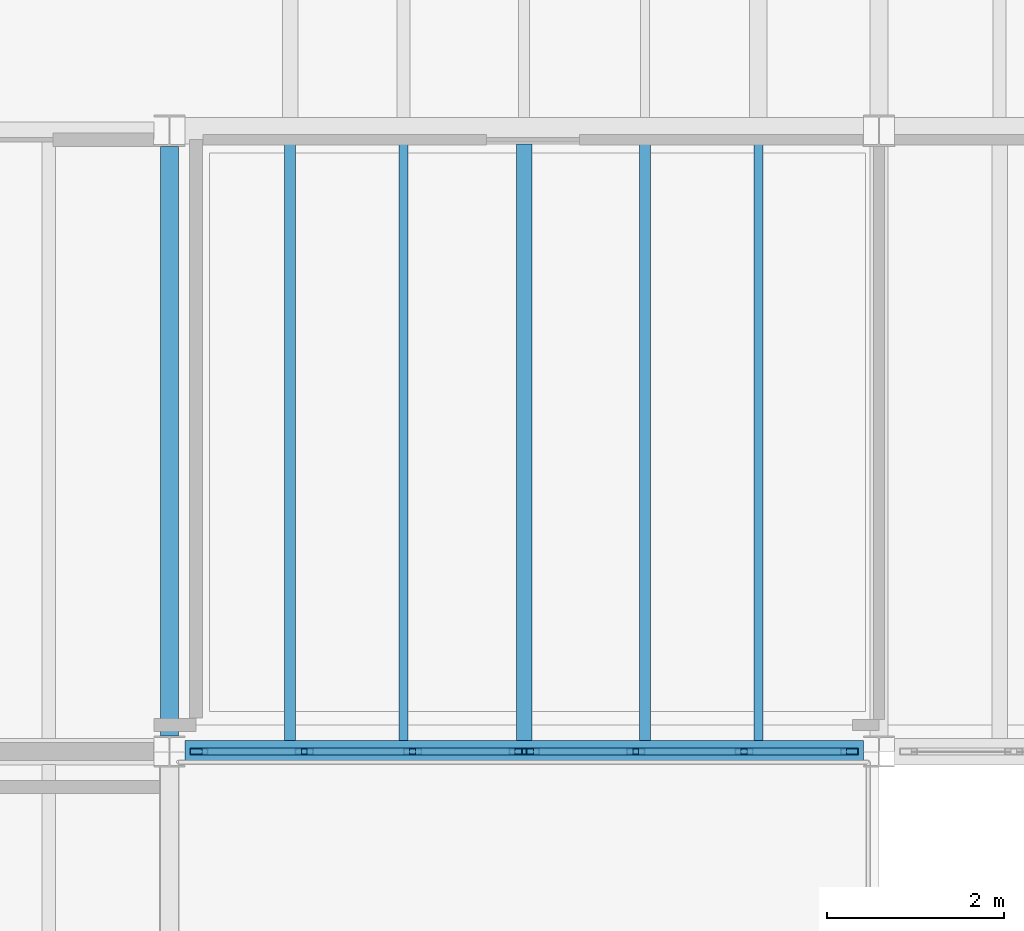
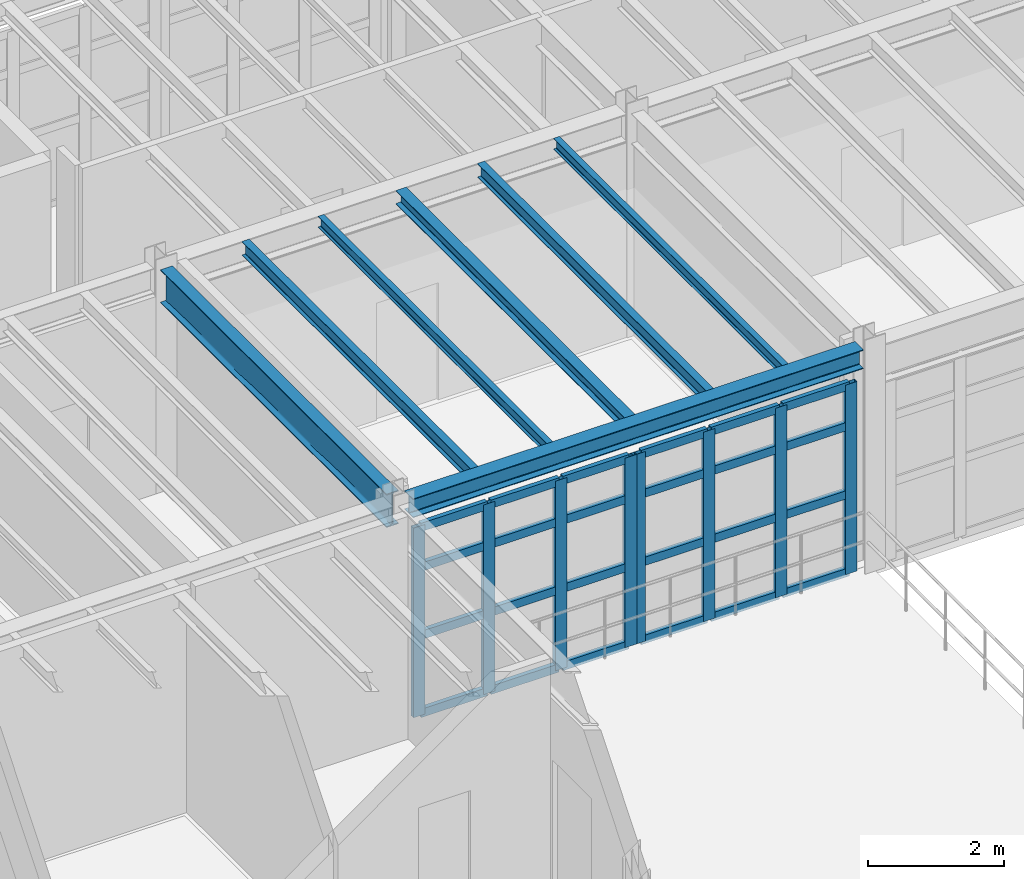
# One storey, part 22 of 78: 32 members, 7 beams, 2 elements without a shape of their own.
"""IFC4 building model written with IfcOpenShell, lengths in metres."""

from ifc_helpers import new_model, si_unit, direction, frame, origin, origin_2d, place, context, subcontext, project, spatial, hollow_rectangle, i_section, extrude, material, material_profile, profile_set, type_object, element, aggregate, save


model = new_model("IFC4")

# Units and contexts
model_context = context("Model", 3, precision=1e-05, world=origin(), true_north=direction((0.0, 1.0)))
body_context = subcontext(model_context, "Body", "Model", "MODEL_VIEW")
ifc_project = project(units=[si_unit("LENGTHUNIT", "METRE"), si_unit("AREAUNIT", "SQUARE_METRE"), si_unit("VOLUMEUNIT", "CUBIC_METRE"), si_unit("PLANEANGLEUNIT", "RADIAN"), si_unit("MASSUNIT", "GRAM", prefix="KILO"), si_unit("THERMODYNAMICTEMPERATUREUNIT", "KELVIN"), si_unit("POWERUNIT", "WATT")], contexts=[model_context])

# Site, building, storey
site_placement = place(None, origin())
site = spatial("IfcSite", under=ifc_project, at=site_placement, CompositionType="ELEMENT")
building_placement = place(site_placement, origin())
building = spatial("IfcBuilding", under=site, at=building_placement, Name="Zhenchuan Central Fire Station", CompositionType="ELEMENT")
storey_placement = place(building_placement, frame((0.0, 0.0, 5.85009765625)))
storey = spatial("IfcBuildingStorey", under=building, at=storey_placement, Name="L02", CompositionType="ELEMENT", Elevation=5.85009765625)

# Beams
ifc_material_1 = material(Name="Steel Q355B", Category="steel")
ifc_material_profile_1 = material_profile(ifc_material_1, i_section(OverallWidth=0.25, OverallDepth=0.340087890625, WebThickness=0.009033203125, FlangeThickness=0.013916015625, FilletRadius=0.01806640625, at=origin_2d()), Name="HM 340x250")
ifc_profile_set_1 = profile_set([ifc_material_profile_1], Name="Steel Q355B")
beam_type_1 = type_object("IfcBeamType", Name="BM-HM340", PredefinedType="BEAM", material=ifc_profile_set_1)
beam_1_placement = place(storey_placement, frame((40.175048828125, 42.5, 3.829833984375), z_axis=(1.0, 0.0, 0.0), x_axis=(0.0, 1.0, 0.0)))
element("IfcBeam", 1, at=beam_1_placement, inside=storey, type_object=beam_type_1, Name="L03 Girder EW 0247", PredefinedType="BEAM", context=body_context, shape_type="SweptSolid", body=[
    extrude(i_section(OverallWidth=0.25, OverallDepth=0.340087890625, WebThickness=0.009033203125, FlangeThickness=0.013916015625, FilletRadius=0.01806640625, at=origin_2d()), origin(), (0.0, 0.0, 1.0), 7.64990234375),
])
ifc_material_profile_2 = material_profile(ifc_material_1, i_section(OverallWidth=0.199951171875, OverallDepth=0.60009765625, WebThickness=0.010986328125, FlangeThickness=0.01708984375, FilletRadius=0.02197265625, at=origin_2d()), Name="HN 600x200")
ifc_profile_set_2 = profile_set([ifc_material_profile_2], Name="Steel Q355B")
beam_type_2 = type_object("IfcBeamType", Name="BM-HN600-INT", PredefinedType="BEAM", material=ifc_profile_set_2)
beam_2_placement = place(storey_placement, frame((40.0, 42.675048828125, 3.699951171875), z_axis=(0.0, 1.0, 0.0), x_axis=(-1.0, 0.0, 0.0)))
element("IfcBeam", 2, at=beam_2_placement, inside=storey, type_object=beam_type_2, Name="L03 Girder NS 0310", PredefinedType="BEAM", context=body_context, shape_type="SweptSolid", body=[
    extrude(i_section(OverallWidth=0.199951171875, OverallDepth=0.60009765625, WebThickness=0.010986328125, FlangeThickness=0.01708984375, FilletRadius=0.02197265625, at=origin_2d()), origin(), (0.0, 0.0, 1.0), 6.64990234375),
])

# Curtain wall, members
ifc_material_2 = material(Name="Anodised aluminium and low-E glazing", Category="aluminium")
curtain_wall_type_1 = type_object("IfcCurtainWallType", Name="CW-MOD-06", PredefinedType="USERDEFINED", material=ifc_material_2)
curtain_wall_1_placement = place(storey_placement, origin())
curtain_wall_1 = element("IfcCurtainWall", 3, at=curtain_wall_1_placement, inside=storey, type_object=curtain_wall_type_1, Name="L02 Unitised Curtain Wall 062", ObjectType="UNITISED GLAZING", PredefinedType="USERDEFINED")
ifc_material_3 = material(Name="Anodised aluminium EN AW-6063", Category="aluminium")
ifc_material_profile_3 = material_profile(ifc_material_3, hollow_rectangle(XDim=0.074951171875, YDim=0.199951171875, WallThickness=0.0048828125, at=origin_2d()), Name="ALU-M 200x75")
ifc_profile_set_3 = profile_set([ifc_material_profile_3], Name="Anodised aluminium EN AW-6063")
member_type_1 = type_object("IfcMemberType", Name="CW-MUL160", PredefinedType="MULLION", material=ifc_profile_set_3)
member_1_placement = place(storey_placement, frame((40.33251953125, 42.5, -0.004150390625), z_axis=(0.0, 0.0, 1.0), x_axis=(0.0, 1.0, 0.0)))
member_1 = element("IfcMember", 4, at=member_1_placement, type_object=member_type_1, Name="CW-06 mullion 1", PredefinedType="MULLION", context=body_context, shape_type="SweptSolid", body=[
    extrude(hollow_rectangle(XDim=0.074951171875, YDim=0.199951171875, WallThickness=0.0048828125, at=origin_2d()), origin(), (0.0, 0.0, 1.0), 3.404052734375),
])
member_2_placement = place(storey_placement, frame((41.520751953125, 42.5, -0.004150390625), z_axis=(0.0, 0.0, 1.0), x_axis=(0.0, 1.0, 0.0)))
member_2 = element("IfcMember", 5, at=member_2_placement, type_object=member_type_1, Name="CW-06 mullion 2", PredefinedType="MULLION", context=body_context, shape_type="SweptSolid", body=[
    extrude(hollow_rectangle(XDim=0.074951171875, YDim=0.199951171875, WallThickness=0.0048828125, at=origin_2d()), origin(), (0.0, 0.0, 1.0), 3.404052734375),
])
member_3_placement = place(storey_placement, frame((42.741455078125, 42.5, -0.004150390625), z_axis=(0.0, 0.0, 1.0), x_axis=(0.0, 1.0, 0.0)))
member_3 = element("IfcMember", 6, at=member_3_placement, type_object=member_type_1, Name="CW-06 mullion 3", PredefinedType="MULLION", context=body_context, shape_type="SweptSolid", body=[
    extrude(hollow_rectangle(XDim=0.074951171875, YDim=0.199951171875, WallThickness=0.0048828125, at=origin_2d()), origin(), (0.0, 0.0, 1.0), 3.404052734375),
])
member_4_placement = place(storey_placement, frame((43.929443359375, 42.5, -0.004150390625), z_axis=(0.0, 0.0, 1.0), x_axis=(0.0, 1.0, 0.0)))
member_4 = element("IfcMember", 7, at=member_4_placement, type_object=member_type_1, Name="CW-06 mullion 4", PredefinedType="MULLION", context=body_context, shape_type="SweptSolid", body=[
    extrude(hollow_rectangle(XDim=0.074951171875, YDim=0.199951171875, WallThickness=0.0048828125, at=origin_2d()), origin(), (0.0, 0.0, 1.0), 3.404052734375),
])

curtain_wall_type_2 = type_object("IfcCurtainWallType", Name="CW-MOD-07", PredefinedType="USERDEFINED", material=ifc_material_2)
curtain_wall_2_placement = place(storey_placement, origin())
curtain_wall_2 = element("IfcCurtainWall", 8, at=curtain_wall_2_placement, inside=storey, type_object=curtain_wall_type_2, Name="L02 Unitised Curtain Wall 063", ObjectType="UNITISED GLAZING", PredefinedType="USERDEFINED")
member_5_placement = place(storey_placement, frame((44.070556640625, 42.5, -0.004150390625), z_axis=(0.0, 0.0, 1.0), x_axis=(0.0, 1.0, 0.0)))
member_5 = element("IfcMember", 9, at=member_5_placement, type_object=member_type_1, Name="CW-07 mullion 1", PredefinedType="MULLION", context=body_context, shape_type="SweptSolid", body=[
    extrude(hollow_rectangle(XDim=0.074951171875, YDim=0.199951171875, WallThickness=0.0048828125, at=origin_2d()), origin(), (0.0, 0.0, 1.0), 3.404052734375),
])
member_6_placement = place(storey_placement, frame((45.258544921875, 42.5, -0.004150390625), z_axis=(0.0, 0.0, 1.0), x_axis=(0.0, 1.0, 0.0)))
member_6 = element("IfcMember", 10, at=member_6_placement, type_object=member_type_1, Name="CW-07 mullion 2", PredefinedType="MULLION", context=body_context, shape_type="SweptSolid", body=[
    extrude(hollow_rectangle(XDim=0.074951171875, YDim=0.199951171875, WallThickness=0.0048828125, at=origin_2d()), origin(), (0.0, 0.0, 1.0), 3.404052734375),
])
member_7_placement = place(storey_placement, frame((46.479248046875, 42.5, -0.004150390625), z_axis=(0.0, 0.0, 1.0), x_axis=(0.0, 1.0, 0.0)))
member_7 = element("IfcMember", 11, at=member_7_placement, type_object=member_type_1, Name="CW-07 mullion 3", PredefinedType="MULLION", context=body_context, shape_type="SweptSolid", body=[
    extrude(hollow_rectangle(XDim=0.074951171875, YDim=0.199951171875, WallThickness=0.0048828125, at=origin_2d()), origin(), (0.0, 0.0, 1.0), 3.404052734375),
])
member_8_placement = place(storey_placement, frame((47.66748046875, 42.5, -0.004150390625), z_axis=(0.0, 0.0, 1.0), x_axis=(0.0, 1.0, 0.0)))
member_8 = element("IfcMember", 12, at=member_8_placement, type_object=member_type_1, Name="CW-07 mullion 4", PredefinedType="MULLION", context=body_context, shape_type="SweptSolid", body=[
    extrude(hollow_rectangle(XDim=0.074951171875, YDim=0.199951171875, WallThickness=0.0048828125, at=origin_2d()), origin(), (0.0, 0.0, 1.0), 3.404052734375),
])

# Member
ifc_material_profile_4 = material_profile(ifc_material_3, hollow_rectangle(XDim=0.074951171875, YDim=0.14990234375, WallThickness=0.0048828125, at=origin_2d()), Name="ALU-T 150x75")
ifc_profile_set_4 = profile_set([ifc_material_profile_4], Name="Anodised aluminium EN AW-6063")
member_type_2 = type_object("IfcMemberType", Name="CW-TRN130", PredefinedType="NOTDEFINED", material=ifc_profile_set_4)
member_9_placement = place(storey_placement, frame((40.364990234375, 42.5, 0.0283203125), z_axis=(1.0, 0.0, 0.0), x_axis=(0.0, 1.0, 0.0)))
member_9 = element("IfcMember", 13, at=member_9_placement, type_object=member_type_2, Name="CW-06 transom 1.1", ObjectType="TRANSOM", PredefinedType="USERDEFINED", context=body_context, shape_type="SweptSolid", body=[
    extrude(hollow_rectangle(XDim=0.074951171875, YDim=0.14990234375, WallThickness=0.0048828125, at=origin_2d()), origin(), (0.0, 0.0, 1.0), 1.123291015625),
])

member_10_placement = place(storey_placement, frame((40.364990234375, 42.5, 1.427978515625), z_axis=(1.0, 0.0, 0.0), x_axis=(0.0, 1.0, 0.0)))
member_10 = element("IfcMember", 14, at=member_10_placement, type_object=member_type_2, Name="CW-06 transom 1.2", ObjectType="TRANSOM", PredefinedType="USERDEFINED", context=body_context, shape_type="SweptSolid", body=[
    extrude(hollow_rectangle(XDim=0.074951171875, YDim=0.14990234375, WallThickness=0.0048828125, at=origin_2d()), origin(), (0.0, 0.0, 1.0), 1.123291015625),
])

member_11_placement = place(storey_placement, frame((40.364990234375, 42.5, 2.65185546875), z_axis=(1.0, 0.0, 0.0), x_axis=(0.0, 1.0, 0.0)))
member_11 = element("IfcMember", 15, at=member_11_placement, type_object=member_type_2, Name="CW-06 transom 1.3", ObjectType="TRANSOM", PredefinedType="USERDEFINED", context=body_context, shape_type="SweptSolid", body=[
    extrude(hollow_rectangle(XDim=0.074951171875, YDim=0.14990234375, WallThickness=0.0048828125, at=origin_2d()), origin(), (0.0, 0.0, 1.0), 1.123291015625),
])

member_12_placement = place(storey_placement, frame((40.364990234375, 42.5, 3.367431640625), z_axis=(1.0, 0.0, 0.0), x_axis=(0.0, 1.0, 0.0)))
member_12 = element("IfcMember", 16, at=member_12_placement, type_object=member_type_2, Name="CW-06 transom 1.4", ObjectType="TRANSOM", PredefinedType="USERDEFINED", context=body_context, shape_type="SweptSolid", body=[
    extrude(hollow_rectangle(XDim=0.074951171875, YDim=0.14990234375, WallThickness=0.0048828125, at=origin_2d()), origin(), (0.0, 0.0, 1.0), 1.123291015625),
])

member_13_placement = place(storey_placement, frame((41.55322265625, 42.5, 0.0283203125), z_axis=(1.0, 0.0, 0.0), x_axis=(0.0, 1.0, 0.0)))
member_13 = element("IfcMember", 17, at=member_13_placement, type_object=member_type_2, Name="CW-06 transom 2.1", ObjectType="TRANSOM", PredefinedType="USERDEFINED", context=body_context, shape_type="SweptSolid", body=[
    extrude(hollow_rectangle(XDim=0.074951171875, YDim=0.14990234375, WallThickness=0.0048828125, at=origin_2d()), origin(), (0.0, 0.0, 1.0), 1.155517578125),
])

member_14_placement = place(storey_placement, frame((41.55322265625, 42.5, 1.427978515625), z_axis=(1.0, 0.0, 0.0), x_axis=(0.0, 1.0, 0.0)))
member_14 = element("IfcMember", 18, at=member_14_placement, type_object=member_type_2, Name="CW-06 transom 2.2", ObjectType="TRANSOM", PredefinedType="USERDEFINED", context=body_context, shape_type="SweptSolid", body=[
    extrude(hollow_rectangle(XDim=0.074951171875, YDim=0.14990234375, WallThickness=0.0048828125, at=origin_2d()), origin(), (0.0, 0.0, 1.0), 1.155517578125),
])

member_15_placement = place(storey_placement, frame((41.55322265625, 42.5, 2.65185546875), z_axis=(1.0, 0.0, 0.0), x_axis=(0.0, 1.0, 0.0)))
member_15 = element("IfcMember", 19, at=member_15_placement, type_object=member_type_2, Name="CW-06 transom 2.3", ObjectType="TRANSOM", PredefinedType="USERDEFINED", context=body_context, shape_type="SweptSolid", body=[
    extrude(hollow_rectangle(XDim=0.074951171875, YDim=0.14990234375, WallThickness=0.0048828125, at=origin_2d()), origin(), (0.0, 0.0, 1.0), 1.155517578125),
])

member_16_placement = place(storey_placement, frame((41.55322265625, 42.5, 3.367431640625), z_axis=(1.0, 0.0, 0.0), x_axis=(0.0, 1.0, 0.0)))
member_16 = element("IfcMember", 20, at=member_16_placement, type_object=member_type_2, Name="CW-06 transom 2.4", ObjectType="TRANSOM", PredefinedType="USERDEFINED", context=body_context, shape_type="SweptSolid", body=[
    extrude(hollow_rectangle(XDim=0.074951171875, YDim=0.14990234375, WallThickness=0.0048828125, at=origin_2d()), origin(), (0.0, 0.0, 1.0), 1.155517578125),
])

member_17_placement = place(storey_placement, frame((42.77392578125, 42.5, 0.0283203125), z_axis=(1.0, 0.0, 0.0), x_axis=(0.0, 1.0, 0.0)))
member_17 = element("IfcMember", 21, at=member_17_placement, type_object=member_type_2, Name="CW-06 transom 3.1", ObjectType="TRANSOM", PredefinedType="USERDEFINED", context=body_context, shape_type="SweptSolid", body=[
    extrude(hollow_rectangle(XDim=0.074951171875, YDim=0.14990234375, WallThickness=0.0048828125, at=origin_2d()), origin(), (0.0, 0.0, 1.0), 1.123046875),
])

member_18_placement = place(storey_placement, frame((42.77392578125, 42.5, 1.427978515625), z_axis=(1.0, 0.0, 0.0), x_axis=(0.0, 1.0, 0.0)))
member_18 = element("IfcMember", 22, at=member_18_placement, type_object=member_type_2, Name="CW-06 transom 3.2", ObjectType="TRANSOM", PredefinedType="USERDEFINED", context=body_context, shape_type="SweptSolid", body=[
    extrude(hollow_rectangle(XDim=0.074951171875, YDim=0.14990234375, WallThickness=0.0048828125, at=origin_2d()), origin(), (0.0, 0.0, 1.0), 1.123046875),
])

member_19_placement = place(storey_placement, frame((42.77392578125, 42.5, 2.65185546875), z_axis=(1.0, 0.0, 0.0), x_axis=(0.0, 1.0, 0.0)))
member_19 = element("IfcMember", 23, at=member_19_placement, type_object=member_type_2, Name="CW-06 transom 3.3", ObjectType="TRANSOM", PredefinedType="USERDEFINED", context=body_context, shape_type="SweptSolid", body=[
    extrude(hollow_rectangle(XDim=0.074951171875, YDim=0.14990234375, WallThickness=0.0048828125, at=origin_2d()), origin(), (0.0, 0.0, 1.0), 1.123046875),
])

member_20_placement = place(storey_placement, frame((42.77392578125, 42.5, 3.367431640625), z_axis=(1.0, 0.0, 0.0), x_axis=(0.0, 1.0, 0.0)))
member_20 = element("IfcMember", 24, at=member_20_placement, type_object=member_type_2, Name="CW-06 transom 3.4", ObjectType="TRANSOM", PredefinedType="USERDEFINED", context=body_context, shape_type="SweptSolid", body=[
    extrude(hollow_rectangle(XDim=0.074951171875, YDim=0.14990234375, WallThickness=0.0048828125, at=origin_2d()), origin(), (0.0, 0.0, 1.0), 1.123046875),
])

aggregate(curtain_wall_1, [member_1, member_2, member_3, member_4, member_9, member_10, member_11, member_12, member_13, member_14, member_15, member_16, member_17, member_18, member_19, member_20])

member_21_placement = place(storey_placement, frame((44.10302734375, 42.5, 0.0283203125), z_axis=(1.0, 0.0, 0.0), x_axis=(0.0, 1.0, 0.0)))
member_21 = element("IfcMember", 25, at=member_21_placement, type_object=member_type_2, Name="CW-07 transom 1.1", ObjectType="TRANSOM", PredefinedType="USERDEFINED", context=body_context, shape_type="SweptSolid", body=[
    extrude(hollow_rectangle(XDim=0.074951171875, YDim=0.14990234375, WallThickness=0.0048828125, at=origin_2d()), origin(), (0.0, 0.0, 1.0), 1.123046875),
])

member_22_placement = place(storey_placement, frame((44.10302734375, 42.5, 1.427978515625), z_axis=(1.0, 0.0, 0.0), x_axis=(0.0, 1.0, 0.0)))
member_22 = element("IfcMember", 26, at=member_22_placement, type_object=member_type_2, Name="CW-07 transom 1.2", ObjectType="TRANSOM", PredefinedType="USERDEFINED", context=body_context, shape_type="SweptSolid", body=[
    extrude(hollow_rectangle(XDim=0.074951171875, YDim=0.14990234375, WallThickness=0.0048828125, at=origin_2d()), origin(), (0.0, 0.0, 1.0), 1.123046875),
])

member_23_placement = place(storey_placement, frame((44.10302734375, 42.5, 2.65185546875), z_axis=(1.0, 0.0, 0.0), x_axis=(0.0, 1.0, 0.0)))
member_23 = element("IfcMember", 27, at=member_23_placement, type_object=member_type_2, Name="CW-07 transom 1.3", ObjectType="TRANSOM", PredefinedType="USERDEFINED", context=body_context, shape_type="SweptSolid", body=[
    extrude(hollow_rectangle(XDim=0.074951171875, YDim=0.14990234375, WallThickness=0.0048828125, at=origin_2d()), origin(), (0.0, 0.0, 1.0), 1.123046875),
])

member_24_placement = place(storey_placement, frame((44.10302734375, 42.5, 3.367431640625), z_axis=(1.0, 0.0, 0.0), x_axis=(0.0, 1.0, 0.0)))
member_24 = element("IfcMember", 28, at=member_24_placement, type_object=member_type_2, Name="CW-07 transom 1.4", ObjectType="TRANSOM", PredefinedType="USERDEFINED", context=body_context, shape_type="SweptSolid", body=[
    extrude(hollow_rectangle(XDim=0.074951171875, YDim=0.14990234375, WallThickness=0.0048828125, at=origin_2d()), origin(), (0.0, 0.0, 1.0), 1.123046875),
])

member_25_placement = place(storey_placement, frame((45.291259765625, 42.5, 0.0283203125), z_axis=(1.0, 0.0, 0.0), x_axis=(0.0, 1.0, 0.0)))
member_25 = element("IfcMember", 29, at=member_25_placement, type_object=member_type_2, Name="CW-07 transom 2.1", ObjectType="TRANSOM", PredefinedType="USERDEFINED", context=body_context, shape_type="SweptSolid", body=[
    extrude(hollow_rectangle(XDim=0.074951171875, YDim=0.14990234375, WallThickness=0.0048828125, at=origin_2d()), origin(), (0.0, 0.0, 1.0), 1.155517578125),
])

member_26_placement = place(storey_placement, frame((45.291259765625, 42.5, 1.427978515625), z_axis=(1.0, 0.0, 0.0), x_axis=(0.0, 1.0, 0.0)))
member_26 = element("IfcMember", 30, at=member_26_placement, type_object=member_type_2, Name="CW-07 transom 2.2", ObjectType="TRANSOM", PredefinedType="USERDEFINED", context=body_context, shape_type="SweptSolid", body=[
    extrude(hollow_rectangle(XDim=0.074951171875, YDim=0.14990234375, WallThickness=0.0048828125, at=origin_2d()), origin(), (0.0, 0.0, 1.0), 1.155517578125),
])

member_27_placement = place(storey_placement, frame((45.291259765625, 42.5, 2.65185546875), z_axis=(1.0, 0.0, 0.0), x_axis=(0.0, 1.0, 0.0)))
member_27 = element("IfcMember", 31, at=member_27_placement, type_object=member_type_2, Name="CW-07 transom 2.3", ObjectType="TRANSOM", PredefinedType="USERDEFINED", context=body_context, shape_type="SweptSolid", body=[
    extrude(hollow_rectangle(XDim=0.074951171875, YDim=0.14990234375, WallThickness=0.0048828125, at=origin_2d()), origin(), (0.0, 0.0, 1.0), 1.155517578125),
])

member_28_placement = place(storey_placement, frame((45.291259765625, 42.5, 3.367431640625), z_axis=(1.0, 0.0, 0.0), x_axis=(0.0, 1.0, 0.0)))
member_28 = element("IfcMember", 32, at=member_28_placement, type_object=member_type_2, Name="CW-07 transom 2.4", ObjectType="TRANSOM", PredefinedType="USERDEFINED", context=body_context, shape_type="SweptSolid", body=[
    extrude(hollow_rectangle(XDim=0.074951171875, YDim=0.14990234375, WallThickness=0.0048828125, at=origin_2d()), origin(), (0.0, 0.0, 1.0), 1.155517578125),
])

member_29_placement = place(storey_placement, frame((46.51171875, 42.5, 0.0283203125), z_axis=(1.0, 0.0, 0.0), x_axis=(0.0, 1.0, 0.0)))
member_29 = element("IfcMember", 33, at=member_29_placement, type_object=member_type_2, Name="CW-07 transom 3.1", ObjectType="TRANSOM", PredefinedType="USERDEFINED", context=body_context, shape_type="SweptSolid", body=[
    extrude(hollow_rectangle(XDim=0.074951171875, YDim=0.14990234375, WallThickness=0.0048828125, at=origin_2d()), origin(), (0.0, 0.0, 1.0), 1.123291015625),
])

member_30_placement = place(storey_placement, frame((46.51171875, 42.5, 1.427978515625), z_axis=(1.0, 0.0, 0.0), x_axis=(0.0, 1.0, 0.0)))
member_30 = element("IfcMember", 34, at=member_30_placement, type_object=member_type_2, Name="CW-07 transom 3.2", ObjectType="TRANSOM", PredefinedType="USERDEFINED", context=body_context, shape_type="SweptSolid", body=[
    extrude(hollow_rectangle(XDim=0.074951171875, YDim=0.14990234375, WallThickness=0.0048828125, at=origin_2d()), origin(), (0.0, 0.0, 1.0), 1.123291015625),
])

member_31_placement = place(storey_placement, frame((46.51171875, 42.5, 2.65185546875), z_axis=(1.0, 0.0, 0.0), x_axis=(0.0, 1.0, 0.0)))
member_31 = element("IfcMember", 35, at=member_31_placement, type_object=member_type_2, Name="CW-07 transom 3.3", ObjectType="TRANSOM", PredefinedType="USERDEFINED", context=body_context, shape_type="SweptSolid", body=[
    extrude(hollow_rectangle(XDim=0.074951171875, YDim=0.14990234375, WallThickness=0.0048828125, at=origin_2d()), origin(), (0.0, 0.0, 1.0), 1.123291015625),
])

member_32_placement = place(storey_placement, frame((46.51171875, 42.5, 3.367431640625), z_axis=(1.0, 0.0, 0.0), x_axis=(0.0, 1.0, 0.0)))
member_32 = element("IfcMember", 36, at=member_32_placement, type_object=member_type_2, Name="CW-07 transom 3.4", ObjectType="TRANSOM", PredefinedType="USERDEFINED", context=body_context, shape_type="SweptSolid", body=[
    extrude(hollow_rectangle(XDim=0.074951171875, YDim=0.14990234375, WallThickness=0.0048828125, at=origin_2d()), origin(), (0.0, 0.0, 1.0), 1.123291015625),
])

aggregate(curtain_wall_2, [member_5, member_6, member_7, member_8, member_21, member_22, member_23, member_24, member_25, member_26, member_27, member_28, member_29, member_30, member_31, member_32])

# Beams
ifc_material_profile_5 = material_profile(ifc_material_1, i_section(OverallWidth=0.175048828125, OverallDepth=0.243896484375, WebThickness=0.007080078125, FlangeThickness=0.010986328125, FilletRadius=0.012939453125, at=origin_2d()), Name="HM 244x175")
ifc_profile_set_5 = profile_set([ifc_material_profile_5], Name="Steel Q355B")
beam_type_3 = type_object("IfcBeamType", Name="JS-HM244", PredefinedType="JOIST", material=ifc_profile_set_5)
beam_3_placement = place(storey_placement, frame((44.0, 42.6220703125, 3.8779296875), z_axis=(0.0, 1.0, 0.0), x_axis=(-1.0, 0.0, 0.0)))
element("IfcBeam", 37, at=beam_3_placement, inside=storey, type_object=beam_type_3, Name="L03 Secondary Joist 0519", PredefinedType="JOIST", context=body_context, shape_type="SweptSolid", body=[
    extrude(i_section(OverallWidth=0.175048828125, OverallDepth=0.243896484375, WebThickness=0.007080078125, FlangeThickness=0.010986328125, FilletRadius=0.012939453125, at=origin_2d()), origin(), (0.0, 0.0, 1.0), 6.73095703125),
])
ifc_material_profile_6 = material_profile(ifc_material_1, i_section(OverallWidth=0.10009765625, OverallDepth=0.199951171875, WebThickness=0.005615234375, FlangeThickness=0.008056640625, FilletRadius=0.010986328125, at=origin_2d()), Name="HN 200x100")
ifc_profile_set_6 = profile_set([ifc_material_profile_6], Name="Steel Q355B")
beam_type_4 = type_object("IfcBeamType", Name="JS-HN200", PredefinedType="JOIST", material=ifc_profile_set_6)
for number, where, z_axis, x_axis, name in (
    (38, (42.639892578125, 42.6220703125, 3.89990234375), (0.0, 1.0, 0.0), (-1.0, 0.0, 0.0), "L03 Secondary Joist 0518"),
    (39, (46.639892578125, 42.6220703125, 3.89990234375), (0.0, 1.0, 0.0), (-1.0, 0.0, 0.0), "L03 Secondary Joist 0521"),
):
    element("IfcBeam", number, at=place(storey_placement, frame(where, z_axis=z_axis, x_axis=x_axis)), inside=storey, type_object=beam_type_4, Name=name, PredefinedType="JOIST", context=body_context, shape_type="SweptSolid", body=[
        extrude(i_section(OverallWidth=0.10009765625, OverallDepth=0.199951171875, WebThickness=0.005615234375, FlangeThickness=0.008056640625, FilletRadius=0.010986328125, at=origin_2d()), origin(), (0.0, 0.0, 1.0), 6.73095703125),
    ])
ifc_material_profile_7 = material_profile(ifc_material_1, i_section(OverallWidth=0.125, OverallDepth=0.25, WebThickness=0.006103515625, FlangeThickness=0.009033203125, FilletRadius=0.011962890625, at=origin_2d()), Name="HN 250x125")
ifc_profile_set_7 = profile_set([ifc_material_profile_7], Name="Steel Q355B")
beam_type_5 = type_object("IfcBeamType", Name="JS-HN250", PredefinedType="JOIST", material=ifc_profile_set_7)
for number, where, z_axis, x_axis, name in (
    (40, (41.360107421875, 42.6220703125, 3.875), (0.0, 1.0, 0.0), (-1.0, 0.0, 0.0), "L03 Secondary Joist 0517"),
    (41, (45.360107421875, 42.6220703125, 3.875), (0.0, 1.0, 0.0), (-1.0, 0.0, 0.0), "L03 Secondary Joist 0520"),
):
    element("IfcBeam", number, at=place(storey_placement, frame(where, z_axis=z_axis, x_axis=x_axis)), inside=storey, type_object=beam_type_5, Name=name, PredefinedType="JOIST", context=body_context, shape_type="SweptSolid", body=[
        extrude(i_section(OverallWidth=0.125, OverallDepth=0.25, WebThickness=0.006103515625, FlangeThickness=0.009033203125, FilletRadius=0.011962890625, at=origin_2d()), origin(), (0.0, 0.0, 1.0), 6.73095703125),
    ])

save(model, "model.ifc")
